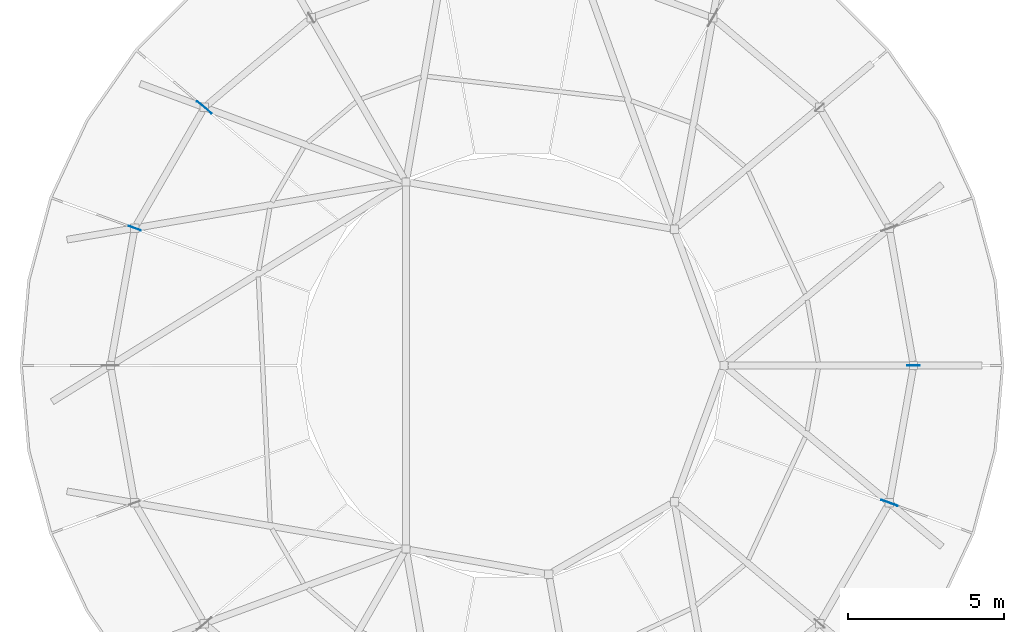
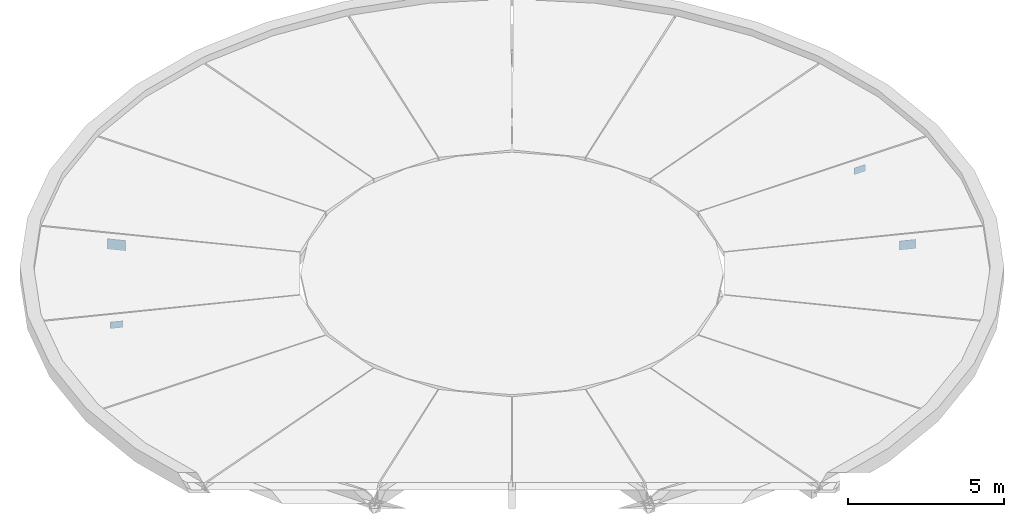
# One storey, part 4 of 6: 4 plates.
"""IFC4 building model written with IfcOpenShell, lengths in metres."""

from ifc_helpers import new_model, si_unit, direction, frame, origin, origin_2d, place, context, subcontext, project, spatial, rectangle, extrude, material, layer, layer_set, type_object, element, save


model = new_model("IFC4")

# Units and contexts
model_context = context("Model", 3, precision=1e-05, world=origin(), true_north=direction((0.0, 1.0)))
body_context = subcontext(model_context, "Body", "Model", "MODEL_VIEW")
ifc_project = project(units=[si_unit("LENGTHUNIT", "METRE"), si_unit("AREAUNIT", "SQUARE_METRE"), si_unit("VOLUMEUNIT", "CUBIC_METRE"), si_unit("PLANEANGLEUNIT", "RADIAN"), si_unit("MASSUNIT", "GRAM", prefix="KILO")], contexts=[model_context])

# Site, building, storey
site_placement = place(None, origin())
site = spatial("IfcSite", under=ifc_project, at=site_placement, CompositionType="ELEMENT")
building_placement = place(site_placement, origin())
building = spatial("IfcBuilding", under=site, at=building_placement, Name="Aldenvaro Health Centre", CompositionType="ELEMENT")
storey_placement = place(building_placement, frame((0.0, 0.0, 25.550048828125)))
storey = spatial("IfcBuildingStorey", under=building, at=storey_placement, Name="RF", CompositionType="ELEMENT", Elevation=25.550048828125)

# Plates
ifc_material = material(Name="Steel ASTM A572 Grade 50", Category="steel")
ifc_layer_1 = layer(ifc_material, 0.013916015625, Name="Steel ASTM A572 Grade 50", Category="steel")
ifc_layer_set_1 = layer_set([ifc_layer_1], Name="Steel ASTM A572 Grade 50")
plate_type_1 = type_object("IfcPlateType", Name="PLT-GUS-07", PredefinedType="SHEET", material=ifc_layer_set_1)
for number, where, z_axis, x_axis, name in (
    (1, (31.3798828125, 99.5, 0.2431640625), (0.0, 0.0, 1.0), (1.0, 0.0, 0.0), "D4 Rafter Eave Gusset 01"),
    (2, (6.39697265625, 103.905029296875, 0.2431640625), (0.0, 0.0, 1.0), (-0.939695908252, 0.342011110952, 0.0), "D4 Rafter Eave Gusset 09"),
):
    element("IfcPlate", number, at=place(storey_placement, frame(where, z_axis=z_axis, x_axis=x_axis)), inside=storey, type_object=plate_type_1, Name=name, PredefinedType="SHEET", context=body_context, shape_type="SweptSolid", body=[
        extrude(rectangle(XDim=0.409912109375, YDim=0.013916015625, at=origin_2d()), origin(), (0.0, 0.0, 1.0), 0.260009765625),
    ])
ifc_layer_2 = layer(ifc_material, 0.01904296875, Name="Steel ASTM A572 Grade 50", Category="steel")
ifc_layer_set_2 = layer_set([ifc_layer_2], Name="Steel ASTM A572 Grade 50")
plate_type_2 = type_object("IfcPlateType", Name="PLT-GUS-08", PredefinedType="SHEET", material=ifc_layer_set_2)
plate_1_placement = place(storey_placement, frame((30.60302734375, 95.094970703125, 0.197998046875), z_axis=(0.0, 0.0, 1.0), x_axis=(0.939695908252, -0.342011110952, 0.0)))
element("IfcPlate", 3, at=plate_1_placement, inside=storey, type_object=plate_type_2, Name="D4 Rafter Eave Gusset 18", PredefinedType="SHEET", context=body_context, shape_type="SweptSolid", body=[
    extrude(rectangle(XDim=0.550048828125, YDim=0.01904296875, at=origin_2d()), origin(), (0.0, 0.0, 1.0), 0.35009765625),
])
ifc_layer_3 = layer(ifc_material, 0.02099609375, Name="Steel ASTM A572 Grade 50", Category="steel")
ifc_layer_set_3 = layer_set([ifc_layer_3], Name="Steel ASTM A572 Grade 50")
plate_type_3 = type_object("IfcPlateType", Name="PLT-GUS-10", PredefinedType="SHEET", material=ifc_layer_set_3)
plate_2_placement = place(storey_placement, frame((8.633056640625, 107.779052734375, 0.173095703125), z_axis=(0.0, 0.0, 1.0), x_axis=(-0.766059584127, 0.642769564905, 0.0)))
element("IfcPlate", 4, at=plate_2_placement, inside=storey, type_object=plate_type_3, Name="D4 Rafter Eave Gusset 08", PredefinedType="SHEET", context=body_context, shape_type="SweptSolid", body=[
    extrude(rectangle(XDim=0.610107421875, YDim=0.02099609375, at=origin_2d()), origin(), (0.0, 0.0, 1.0), 0.39990234375),
])

save(model, "model.ifc")
